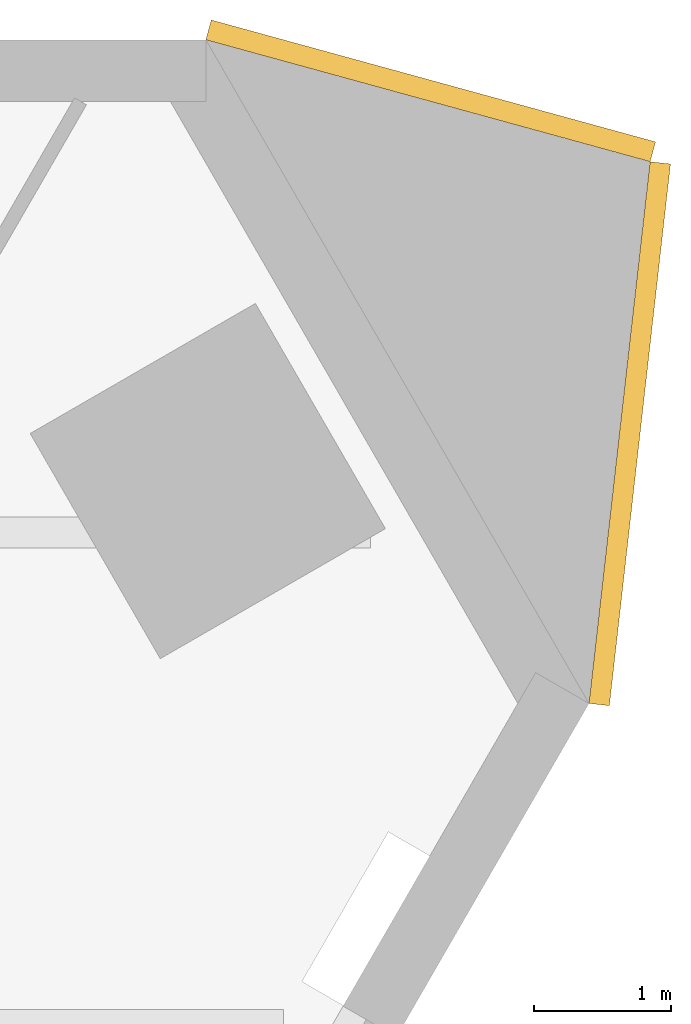
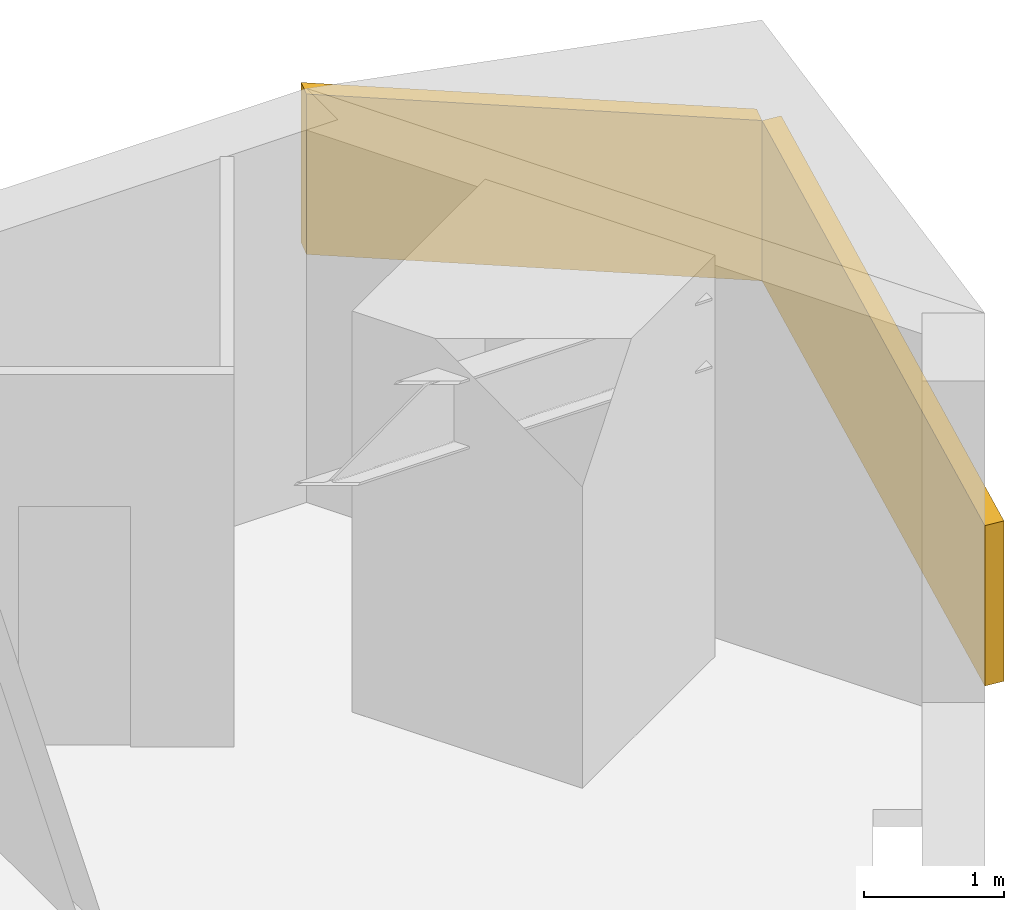
# One storey, part 9 of 9: 2 coverings.
"""IFC4 building model written with IfcOpenShell, lengths in metres."""

from ifc_helpers import new_model, si_unit, direction, frame, origin, place, context, subcontext, project, spatial, polyline, outline, extrude, material, layer, layer_set, type_object, element, save


model = new_model("IFC4")

# Units and contexts
model_context = context("Model", 3, precision=1e-05, world=origin(), true_north=direction((0.0, 1.0)))
body_context = subcontext(model_context, "Body", "Model", "MODEL_VIEW")
ifc_project = project(units=[si_unit("LENGTHUNIT", "METRE"), si_unit("AREAUNIT", "SQUARE_METRE"), si_unit("VOLUMEUNIT", "CUBIC_METRE"), si_unit("PLANEANGLEUNIT", "RADIAN"), si_unit("MASSUNIT", "GRAM", prefix="KILO")], contexts=[model_context])

# Site, building, storey
site_placement = place(None, origin())
site = spatial("IfcSite", under=ifc_project, at=site_placement, CompositionType="ELEMENT")
building_placement = place(site_placement, origin())
building = spatial("IfcBuilding", under=site, at=building_placement, Name="Aloe Facet Convention Tower", CompositionType="ELEMENT")
storey_placement = place(building_placement, frame((0.0, 0.0, 120.300048828125)))
storey = spatial("IfcBuildingStorey", under=building, at=storey_placement, Name="L30", CompositionType="ELEMENT", Elevation=120.300048828125)

# Coverings
ifc_material = material(Name="Bronze oxide fascia sheet")
ifc_layer = layer(ifc_material, 0.14990234375)
ifc_layer_set = layer_set([ifc_layer], Name="EV-FASCIA-TERR")
covering_type = type_object("IfcCoveringType", Name="EV-FASCIA-TERR", PredefinedType="CLADDING", material=ifc_layer_set)
covering_1_placement = place(storey_placement, frame((104.2705078125, 130.133544921875, -0.00634765625), z_axis=(0.993698509332, -0.112086005154, 0.0), x_axis=(0.108847536698, 0.964987866356, 0.238643314467)))
element("IfcCovering", 1, at=covering_1_placement, inside=storey, type_object=covering_type, Name="Spiral ribbon zone 2 part 11 over the corner spine", PredefinedType="CLADDING", context=body_context, shape_type="SweptSolid", body=[
    extrude(outline(polyline([(0.0, 0.0), (4.102373068506235, -1.1102230246251565e-16), (4.436450403749374, 1.359455371137128), (0.33407733524313854, 1.3594553711371282), (0.0, 0.0)])), origin(), (0.0, 0.0, -1.0), 0.14990234375),
])
covering_2_placement = place(storey_placement, frame((104.607666015625, 134.25390625, 0.97265625), z_axis=(0.264571513724, 0.964366068527, 0.0), x_axis=(-0.936493367807, 0.256924705254, 0.238683614612)))
element("IfcCovering", 2, at=covering_2_placement, inside=storey, type_object=covering_type, Name="Spiral ribbon zone 2 part 12 over the corner spine", PredefinedType="CLADDING", context=body_context, shape_type="SweptSolid", body=[
    extrude(outline(polyline([(0.0, 0.0), (3.466482521096697, 1.1102230246251565e-16), (3.8006162726068875, 1.3594415059642948), (0.3341337515101906, 1.3594415059642946), (0.0, 0.0)])), origin(), (0.0, 0.0, -1.0), 0.14990234375),
])

save(model, "model.ifc")
